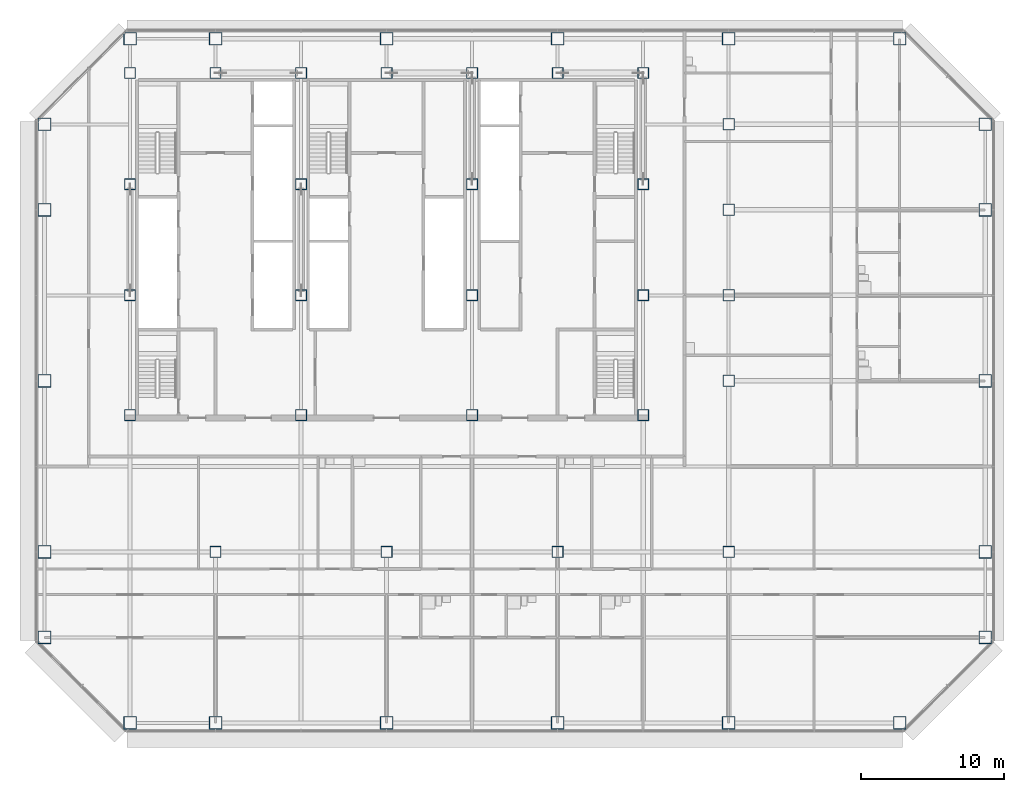
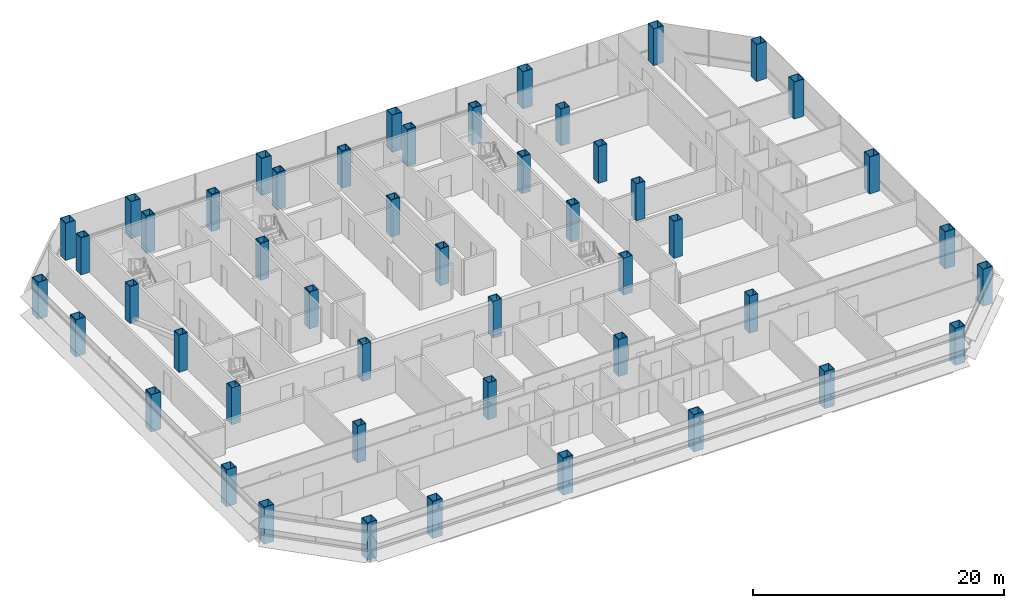
# One storey, part 1 of 26: 49 columns.
"""IFC4 building model written with IfcOpenShell, lengths in metres."""

from ifc_helpers import new_model, si_unit, direction, frame, origin, origin_2d, place, context, subcontext, project, spatial, hollow_rectangle, extrude, material, material_profile, profile_set, type_object, element, save


model = new_model("IFC4")

# Units and contexts
model_context = context("Model", 3, precision=1e-05, world=origin(), true_north=direction((0.0, 1.0)))
body_context = subcontext(model_context, "Body", "Model", "MODEL_VIEW")
ifc_project = project(units=[si_unit("LENGTHUNIT", "METRE"), si_unit("AREAUNIT", "SQUARE_METRE"), si_unit("VOLUMEUNIT", "CUBIC_METRE"), si_unit("PLANEANGLEUNIT", "RADIAN"), si_unit("MASSUNIT", "GRAM", prefix="KILO")], contexts=[model_context])

# Site, building, storey
site_placement = place(None, origin())
site = spatial("IfcSite", under=ifc_project, at=site_placement, CompositionType="ELEMENT")
building_placement = place(site_placement, origin())
building = spatial("IfcBuilding", under=site, at=building_placement, Name="Sorahane Residences", CompositionType="ELEMENT")
storey_placement = place(building_placement, frame((0.0, 0.0, 67.800048828125)))
storey = spatial("IfcBuildingStorey", under=building, at=storey_placement, Name="L13", CompositionType="ELEMENT", Elevation=67.800048828125)

# Columns
ifc_material_1 = material(Name="Steel Q355B", Category="steel")
ifc_material_profile_1 = material_profile(ifc_material_1, hollow_rectangle(XDim=0.800048828125, YDim=0.800048828125, WallThickness=0.0400390625, at=origin_2d()), Name="BOX 800x800x40")
ifc_profile_set_1 = profile_set([ifc_material_profile_1], Name="Steel Q355B")
column_type_1 = type_object("IfcColumnType", Name="Steel box column BOX 800x800x40 Q355B", PredefinedType="COLUMN", material=ifc_profile_set_1)
for number, where, z_axis, x_axis, name in (
    (1, (12.0, 12.0, 0.0), (0.0, 0.0, 1.0), (1.0, 0.0, 0.0), "Column L13 12/12"),
    (2, (24.0, 12.0, 0.0), (0.0, 0.0, 1.0), (1.0, 0.0, 0.0), "Column L13 24/12"),
    (3, (36.0, 12.0, 0.0), (0.0, 0.0, 1.0), (1.0, 0.0, 0.0), "Column L13 36/12"),
    (4, (48.0, 12.0, 0.0), (0.0, 0.0, 1.0), (1.0, 0.0, 0.0), "Column L13 48/12"),
    (5, (48.0, 24.0, 0.0), (0.0, 0.0, 1.0), (1.0, 0.0, 0.0), "Column L13 48/24"),
    (6, (48.0, 30.0, 0.0), (0.0, 0.0, 1.0), (1.0, 0.0, 0.0), "Column L13 48/30"),
    (7, (48.0, 36.0, 0.0), (0.0, 0.0, 1.0), (1.0, 0.0, 0.0), "Column L13 48/36"),
    (8, (48.0, 42.0, 0.0), (0.0, 0.0, 1.0), (1.0, 0.0, 0.0), "Column L13 48/42"),
):
    element("IfcColumn", number, at=place(storey_placement, frame(where, z_axis=z_axis, x_axis=x_axis)), inside=storey, type_object=column_type_1, Name=name, PredefinedType="COLUMN", context=body_context, shape_type="SweptSolid", body=[
        extrude(hollow_rectangle(XDim=0.800048828125, YDim=0.800048828125, WallThickness=0.0400390625, at=origin_2d()), origin(), (0.0, 0.0, 1.0), 3.599853515625),
    ])
ifc_material_2 = material(Name="Steel Q420GJ", Category="steel")
ifc_material_profile_2 = material_profile(ifc_material_2, hollow_rectangle(XDim=0.800048828125, YDim=0.800048828125, WallThickness=0.06005859375, at=origin_2d()), Name="BOX 800x800x60")
ifc_profile_set_2 = profile_set([ifc_material_profile_2], Name="Steel Q420GJ")
column_type_2 = type_object("IfcColumnType", Name="Steel box column BOX 800x800x60 Q420GJ", PredefinedType="COLUMN", material=ifc_profile_set_2)
for number, where, z_axis, x_axis, name in (
    (9, (6.0, 21.60009765625, 0.0), (0.0, 0.0, 1.0), (1.0, 0.0, 0.0), "Column L13 6/21.6"),
    (10, (6.0, 30.0, 0.0), (0.0, 0.0, 1.0), (1.0, 0.0, 0.0), "Column L13 6/30"),
    (11, (6.0, 37.800048828125, 0.0), (0.0, 0.0, 1.0), (1.0, 0.0, 0.0), "Column L13 6/37.8"),
    (12, (6.0, 45.60009765625, 0.0), (0.0, 0.0, 1.0), (1.0, 0.0, 0.0), "Column L13 6/45.6"),
    (13, (12.0, 45.60009765625, 0.0), (0.0, 0.0, 1.0), (1.0, 0.0, 0.0), "Column L13 12/45.6"),
    (14, (18.0, 21.60009765625, 0.0), (0.0, 0.0, 1.0), (1.0, 0.0, 0.0), "Column L13 18/21.6"),
    (15, (18.0, 30.0, 0.0), (0.0, 0.0, 1.0), (1.0, 0.0, 0.0), "Column L13 18/30"),
    (16, (18.0, 37.800048828125, 0.0), (0.0, 0.0, 1.0), (1.0, 0.0, 0.0), "Column L13 18/37.8"),
    (17, (18.0, 45.60009765625, 0.0), (0.0, 0.0, 1.0), (1.0, 0.0, 0.0), "Column L13 18/45.6"),
    (18, (24.0, 45.60009765625, 0.0), (0.0, 0.0, 1.0), (1.0, 0.0, 0.0), "Column L13 24/45.6"),
    (19, (30.0, 21.60009765625, 0.0), (0.0, 0.0, 1.0), (1.0, 0.0, 0.0), "Column L13 30/21.6"),
    (20, (30.0, 30.0, 0.0), (0.0, 0.0, 1.0), (1.0, 0.0, 0.0), "Column L13 30/30"),
    (21, (30.0, 37.800048828125, 0.0), (0.0, 0.0, 1.0), (1.0, 0.0, 0.0), "Column L13 30/37.8"),
    (22, (30.0, 45.60009765625, 0.0), (0.0, 0.0, 1.0), (1.0, 0.0, 0.0), "Column L13 30/45.6"),
    (23, (36.0, 45.60009765625, 0.0), (0.0, 0.0, 1.0), (1.0, 0.0, 0.0), "Column L13 36/45.6"),
    (24, (42.0, 21.60009765625, 0.0), (0.0, 0.0, 1.0), (1.0, 0.0, 0.0), "Column L13 42/21.6"),
    (25, (42.0, 30.0, 0.0), (0.0, 0.0, 1.0), (1.0, 0.0, 0.0), "Column L13 42/30"),
    (26, (42.0, 37.800048828125, 0.0), (0.0, 0.0, 1.0), (1.0, 0.0, 0.0), "Column L13 42/37.8"),
    (27, (42.0, 45.60009765625, 0.0), (0.0, 0.0, 1.0), (1.0, 0.0, 0.0), "Column L13 42/45.6"),
):
    element("IfcColumn", number, at=place(storey_placement, frame(where, z_axis=z_axis, x_axis=x_axis)), inside=storey, type_object=column_type_2, Name=name, PredefinedType="COLUMN", context=body_context, shape_type="SweptSolid", body=[
        extrude(hollow_rectangle(XDim=0.800048828125, YDim=0.800048828125, WallThickness=0.06005859375, at=origin_2d()), origin(), (0.0, 0.0, 1.0), 3.599853515625),
    ])
ifc_material_3 = material(Name="Steel Q420GJ", Category="steel")
ifc_material_profile_3 = material_profile(ifc_material_3, hollow_rectangle(XDim=0.89990234375, YDim=0.89990234375, WallThickness=0.044921875, at=origin_2d()), Name="BOX 900x900x45")
ifc_profile_set_3 = profile_set([ifc_material_profile_3], Name="Steel Q420GJ")
column_type_3 = type_object("IfcColumnType", Name="Steel box column BOX 900x900x45 Q420GJ", PredefinedType="COLUMN", material=ifc_profile_set_3)
for number, where, z_axis, x_axis, name in (
    (28, (0.0, 6.0, 0.0), (0.0, 0.0, 1.0), (1.0, 0.0, 0.0), "Column L13 m0/6"),
    (29, (0.0, 12.0, 0.0), (0.0, 0.0, 1.0), (1.0, 0.0, 0.0), "Column L13 m0/12"),
    (30, (0.0, 24.0, 0.0), (0.0, 0.0, 1.0), (1.0, 0.0, 0.0), "Column L13 m0/24"),
    (31, (0.0, 36.0, 0.0), (0.0, 0.0, 1.0), (1.0, 0.0, 0.0), "Column L13 m0/36"),
    (32, (0.0, 42.0, 0.0), (0.0, 0.0, 1.0), (1.0, 0.0, 0.0), "Column L13 m0/42"),
    (33, (6.0, 0.0, 0.0), (0.0, 0.0, 1.0), (1.0, 0.0, 0.0), "Column L13 6/0"),
    (34, (6.0, 48.0, 0.0), (0.0, 0.0, 1.0), (1.0, 0.0, 0.0), "Column L13 6/48"),
    (35, (12.0, 0.0, 0.0), (0.0, 0.0, 1.0), (1.0, 0.0, 0.0), "Column L13 12/0"),
    (36, (12.0, 48.0, 0.0), (0.0, 0.0, 1.0), (1.0, 0.0, 0.0), "Column L13 12/48"),
    (37, (24.0, 0.0, 0.0), (0.0, 0.0, 1.0), (1.0, 0.0, 0.0), "Column L13 24/0"),
    (38, (24.0, 48.0, 0.0), (0.0, 0.0, 1.0), (1.0, 0.0, 0.0), "Column L13 24/48"),
    (39, (36.0, 0.0, 0.0), (0.0, 0.0, 1.0), (1.0, 0.0, 0.0), "Column L13 36/0"),
    (40, (36.0, 48.0, 0.0), (0.0, 0.0, 1.0), (1.0, 0.0, 0.0), "Column L13 36/48"),
    (41, (48.0, 0.0, 0.0), (0.0, 0.0, 1.0), (1.0, 0.0, 0.0), "Column L13 48/0"),
    (42, (48.0, 48.0, 0.0), (0.0, 0.0, 1.0), (1.0, 0.0, 0.0), "Column L13 48/48"),
    (43, (60.0, 0.0, 0.0), (0.0, 0.0, 1.0), (1.0, 0.0, 0.0), "Column L13 60/0"),
    (44, (60.0, 48.0, 0.0), (0.0, 0.0, 1.0), (1.0, 0.0, 0.0), "Column L13 60/48"),
    (45, (66.0, 6.0, 0.0), (0.0, 0.0, 1.0), (1.0, 0.0, 0.0), "Column L13 66/6"),
    (46, (66.0, 12.0, 0.0), (0.0, 0.0, 1.0), (1.0, 0.0, 0.0), "Column L13 66/12"),
    (47, (66.0, 24.0, 0.0), (0.0, 0.0, 1.0), (1.0, 0.0, 0.0), "Column L13 66/24"),
    (48, (66.0, 36.0, 0.0), (0.0, 0.0, 1.0), (1.0, 0.0, 0.0), "Column L13 66/36"),
    (49, (66.0, 42.0, 0.0), (0.0, 0.0, 1.0), (1.0, 0.0, 0.0), "Column L13 66/42"),
):
    element("IfcColumn", number, at=place(storey_placement, frame(where, z_axis=z_axis, x_axis=x_axis)), inside=storey, type_object=column_type_3, Name=name, PredefinedType="COLUMN", context=body_context, shape_type="SweptSolid", body=[
        extrude(hollow_rectangle(XDim=0.89990234375, YDim=0.89990234375, WallThickness=0.044921875, at=origin_2d()), origin(), (0.0, 0.0, 1.0), 3.599853515625),
    ])

save(model, "model.ifc")
